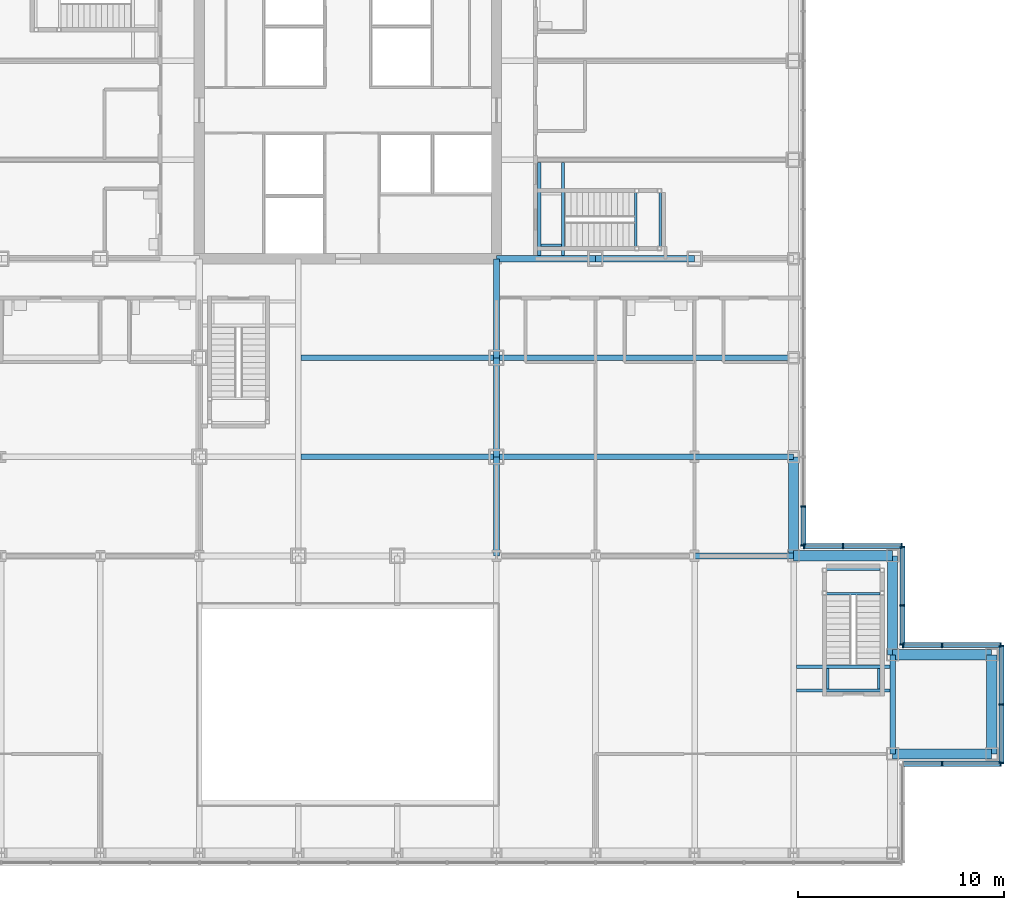
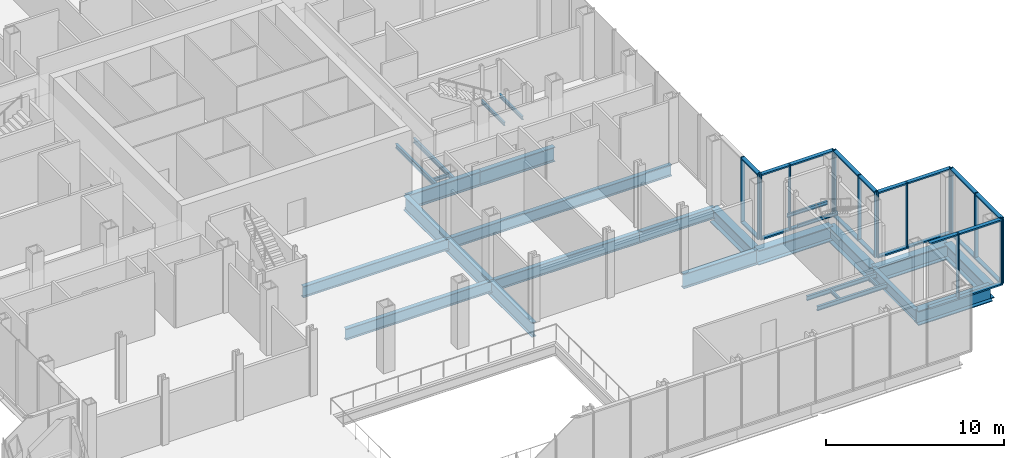
# One storey, part 14 of 26: 38 members, 29 beams, 6 elements without a shape of their own.
"""IFC4 building model written with IfcOpenShell, lengths in metres."""

from ifc_helpers import new_model, si_unit, direction, frame, origin, origin_2d, place, context, subcontext, project, spatial, rectangle, i_section, extrude, material, material_profile, profile_set, type_object, element, aggregate, save


model = new_model("IFC4")

# Units and contexts
model_context = context("Model", 3, precision=1e-05, world=origin(), true_north=direction((0.0, 1.0)))
body_context = subcontext(model_context, "Body", "Model", "MODEL_VIEW")
ifc_project = project(units=[si_unit("LENGTHUNIT", "METRE"), si_unit("AREAUNIT", "SQUARE_METRE"), si_unit("VOLUMEUNIT", "CUBIC_METRE"), si_unit("PLANEANGLEUNIT", "RADIAN"), si_unit("MASSUNIT", "GRAM", prefix="KILO")], contexts=[model_context])

# Site, building, storey
site_placement = place(None, origin())
site = spatial("IfcSite", under=ifc_project, at=site_placement, CompositionType="ELEMENT")
building_placement = place(site_placement, origin())
building = spatial("IfcBuilding", under=site, at=building_placement, Name="Kvirike Care Tower", CompositionType="ELEMENT")
storey_placement = place(building_placement, frame((0.0, 0.0, 18.0)))
storey = spatial("IfcBuildingStorey", under=building, at=storey_placement, Name="L04", CompositionType="ELEMENT", Elevation=18.0)

# Curtain wall, members
ifc_material_1 = material(Name="Anodised aluminium stick system", Category="aluminium")
curtain_wall_type = type_object("IfcCurtainWallType", Name="CW-P PODIUM STICK CURTAIN WALL", PredefinedType="NOTDEFINED", material=ifc_material_1)
curtain_wall_1_placement = place(storey_placement, origin())
curtain_wall_1 = element("IfcCurtainWall", 1, at=curtain_wall_1_placement, inside=storey, type_object=curtain_wall_type, Name="Curtain wall L04 face 3", PredefinedType="NOTDEFINED")
ifc_material_2 = material(Name="Bronze anodised aluminium mullion", Category="aluminium")
ifc_material_profile_1 = material_profile(ifc_material_2, rectangle(XDim=0.06494140625, YDim=0.25, at=origin_2d()), Name="CW-P MULLION 65x250")
ifc_profile_set_1 = profile_set([ifc_material_profile_1], Name="Bronze anodised aluminium mullion")
member_type_1 = type_object("IfcMemberType", Name="CW-P MULLION 65x250", PredefinedType="MULLION", material=ifc_profile_set_1)
member_1_placement = place(storey_placement, frame((50.39990234375, 4.324951171875, 0.0), z_axis=(0.0, 0.0, 1.0), x_axis=(1.0, 0.0, 0.0)))
member_1 = element("IfcMember", 2, at=member_1_placement, type_object=member_type_1, Name="CW-P mullion L04 face 3.2", PredefinedType="MULLION", context=body_context, shape_type="SweptSolid", body=[
    extrude(rectangle(XDim=0.06494140625, YDim=0.25, at=origin_2d()), origin(), (0.0, 0.0, 1.0), 4.5),
])
member_2_placement = place(storey_placement, frame((53.242431640625, 4.324951171875, 0.0), z_axis=(0.0, 0.0, 1.0), x_axis=(1.0, 0.0, 0.0)))
member_2 = element("IfcMember", 3, at=member_2_placement, type_object=member_type_1, Name="CW-P mullion L04 face 3.3", PredefinedType="MULLION", context=body_context, shape_type="SweptSolid", body=[
    extrude(rectangle(XDim=0.06494140625, YDim=0.25, at=origin_2d()), origin(), (0.0, 0.0, 1.0), 4.5),
])

curtain_wall_2_placement = place(storey_placement, origin())
curtain_wall_2 = element("IfcCurtainWall", 4, at=curtain_wall_2_placement, inside=storey, type_object=curtain_wall_type, Name="Curtain wall L04 face 4", PredefinedType="NOTDEFINED")
member_3_placement = place(storey_placement, frame((53.27490234375, 4.357421875, 0.0), z_axis=(0.0, 0.0, 1.0), x_axis=(0.0, 1.0, 0.0)))
member_3 = element("IfcMember", 5, at=member_3_placement, type_object=member_type_1, Name="CW-P mullion L04 face 4.1", PredefinedType="MULLION", context=body_context, shape_type="SweptSolid", body=[
    extrude(rectangle(XDim=0.06494140625, YDim=0.25, at=origin_2d()), origin(), (0.0, 0.0, 1.0), 4.5),
])
member_4_placement = place(storey_placement, frame((53.27490234375, 7.199951171875, 0.0), z_axis=(0.0, 0.0, 1.0), x_axis=(0.0, 1.0, 0.0)))
member_4 = element("IfcMember", 6, at=member_4_placement, type_object=member_type_1, Name="CW-P mullion L04 face 4.2", PredefinedType="MULLION", context=body_context, shape_type="SweptSolid", body=[
    extrude(rectangle(XDim=0.06494140625, YDim=0.25, at=origin_2d()), origin(), (0.0, 0.0, 1.0), 4.5),
])
member_5_placement = place(storey_placement, frame((53.27490234375, 10.04248046875, 0.0), z_axis=(0.0, 0.0, 1.0), x_axis=(0.0, 1.0, 0.0)))
member_5 = element("IfcMember", 7, at=member_5_placement, type_object=member_type_1, Name="CW-P mullion L04 face 4.3", PredefinedType="MULLION", context=body_context, shape_type="SweptSolid", body=[
    extrude(rectangle(XDim=0.06494140625, YDim=0.25, at=origin_2d()), origin(), (0.0, 0.0, 1.0), 4.5),
])

curtain_wall_3_placement = place(storey_placement, origin())
curtain_wall_3 = element("IfcCurtainWall", 8, at=curtain_wall_3_placement, inside=storey, type_object=curtain_wall_type, Name="Curtain wall L04 face 5", PredefinedType="NOTDEFINED")
member_6_placement = place(storey_placement, frame((53.242431640625, 10.074951171875, 0.0), z_axis=(0.0, 0.0, 1.0), x_axis=(-1.0, 0.0, 0.0)))
member_6 = element("IfcMember", 9, at=member_6_placement, type_object=member_type_1, Name="CW-P mullion L04 face 5.1", PredefinedType="MULLION", context=body_context, shape_type="SweptSolid", body=[
    extrude(rectangle(XDim=0.06494140625, YDim=0.25, at=origin_2d()), origin(), (0.0, 0.0, 1.0), 4.5),
])
member_7_placement = place(storey_placement, frame((50.39990234375, 10.074951171875, 0.0), z_axis=(0.0, 0.0, 1.0), x_axis=(-1.0, 0.0, 0.0)))
member_7 = element("IfcMember", 10, at=member_7_placement, type_object=member_type_1, Name="CW-P mullion L04 face 5.2", PredefinedType="MULLION", context=body_context, shape_type="SweptSolid", body=[
    extrude(rectangle(XDim=0.06494140625, YDim=0.25, at=origin_2d()), origin(), (0.0, 0.0, 1.0), 4.5),
])
member_8_placement = place(storey_placement, frame((48.507568359375, 10.074951171875, 0.0), z_axis=(0.0, 0.0, 1.0), x_axis=(-1.0, 0.0, 0.0)))
member_8 = element("IfcMember", 11, at=member_8_placement, type_object=member_type_1, Name="CW-P mullion L04 face 5.3", PredefinedType="MULLION", context=body_context, shape_type="SweptSolid", body=[
    extrude(rectangle(XDim=0.06494140625, YDim=0.25, at=origin_2d()), origin(), (0.0, 0.0, 1.0), 4.5),
])

curtain_wall_4_placement = place(storey_placement, origin())
curtain_wall_4 = element("IfcCurtainWall", 12, at=curtain_wall_4_placement, inside=storey, type_object=curtain_wall_type, Name="Curtain wall L04 face 6", PredefinedType="NOTDEFINED")
member_9_placement = place(storey_placement, frame((48.47509765625, 10.107421875, 0.0), z_axis=(0.0, 0.0, 1.0), x_axis=(0.0, 1.0, 0.0)))
member_9 = element("IfcMember", 13, at=member_9_placement, type_object=member_type_1, Name="CW-P mullion L04 face 6.1", PredefinedType="MULLION", context=body_context, shape_type="SweptSolid", body=[
    extrude(rectangle(XDim=0.06494140625, YDim=0.25, at=origin_2d()), origin(), (0.0, 0.0, 1.0), 4.5),
])
member_10_placement = place(storey_placement, frame((48.47509765625, 12.0, 0.0), z_axis=(0.0, 0.0, 1.0), x_axis=(0.0, 1.0, 0.0)))
member_10 = element("IfcMember", 14, at=member_10_placement, type_object=member_type_1, Name="CW-P mullion L04 face 6.2", PredefinedType="MULLION", context=body_context, shape_type="SweptSolid", body=[
    extrude(rectangle(XDim=0.06494140625, YDim=0.25, at=origin_2d()), origin(), (0.0, 0.0, 1.0), 4.5),
])
member_11_placement = place(storey_placement, frame((48.47509765625, 14.842529296875, 0.0), z_axis=(0.0, 0.0, 1.0), x_axis=(0.0, 1.0, 0.0)))
member_11 = element("IfcMember", 15, at=member_11_placement, type_object=member_type_1, Name="CW-P mullion L04 face 6.3", PredefinedType="MULLION", context=body_context, shape_type="SweptSolid", body=[
    extrude(rectangle(XDim=0.06494140625, YDim=0.25, at=origin_2d()), origin(), (0.0, 0.0, 1.0), 4.5),
])

curtain_wall_5_placement = place(storey_placement, origin())
curtain_wall_5 = element("IfcCurtainWall", 16, at=curtain_wall_5_placement, inside=storey, type_object=curtain_wall_type, Name="Curtain wall L04 face 7", PredefinedType="NOTDEFINED")
member_12_placement = place(storey_placement, frame((48.4423828125, 14.875, 0.0), z_axis=(0.0, 0.0, 1.0), x_axis=(-1.0, 0.0, 0.0)))
member_12 = element("IfcMember", 17, at=member_12_placement, type_object=member_type_1, Name="CW-P mullion L04 face 7.1", PredefinedType="MULLION", context=body_context, shape_type="SweptSolid", body=[
    extrude(rectangle(XDim=0.06494140625, YDim=0.25, at=origin_2d()), origin(), (0.0, 0.0, 1.0), 4.5),
])
member_13_placement = place(storey_placement, frame((45.60009765625, 14.875, 0.0), z_axis=(0.0, 0.0, 1.0), x_axis=(-1.0, 0.0, 0.0)))
member_13 = element("IfcMember", 18, at=member_13_placement, type_object=member_type_1, Name="CW-P mullion L04 face 7.2", PredefinedType="MULLION", context=body_context, shape_type="SweptSolid", body=[
    extrude(rectangle(XDim=0.06494140625, YDim=0.25, at=origin_2d()), origin(), (0.0, 0.0, 1.0), 4.5),
])
member_14_placement = place(storey_placement, frame((43.70751953125, 14.875, 0.0), z_axis=(0.0, 0.0, 1.0), x_axis=(-1.0, 0.0, 0.0)))
member_14 = element("IfcMember", 19, at=member_14_placement, type_object=member_type_1, Name="CW-P mullion L04 face 7.3", PredefinedType="MULLION", context=body_context, shape_type="SweptSolid", body=[
    extrude(rectangle(XDim=0.06494140625, YDim=0.25, at=origin_2d()), origin(), (0.0, 0.0, 1.0), 4.5),
])

curtain_wall_6_placement = place(storey_placement, origin())
curtain_wall_6 = element("IfcCurtainWall", 20, at=curtain_wall_6_placement, inside=storey, type_object=curtain_wall_type, Name="Curtain wall L04 face 8", PredefinedType="NOTDEFINED")
member_15_placement = place(storey_placement, frame((43.675048828125, 14.907470703125, 0.0), z_axis=(0.0, 0.0, 1.0), x_axis=(0.0, 1.0, 0.0)))
member_15 = element("IfcMember", 21, at=member_15_placement, type_object=member_type_1, Name="CW-P mullion L04 face 8.1", PredefinedType="MULLION", context=body_context, shape_type="SweptSolid", body=[
    extrude(rectangle(XDim=0.06494140625, YDim=0.25, at=origin_2d()), origin(), (0.0, 0.0, 1.0), 4.5),
])
member_16_placement = place(storey_placement, frame((43.675048828125, 16.800048828125, 0.0), z_axis=(0.0, 0.0, 1.0), x_axis=(0.0, 1.0, 0.0)))
member_16 = element("IfcMember", 22, at=member_16_placement, type_object=member_type_1, Name="CW-P mullion L04 face 8.2", PredefinedType="MULLION", context=body_context, shape_type="SweptSolid", body=[
    extrude(rectangle(XDim=0.06494140625, YDim=0.25, at=origin_2d()), origin(), (0.0, 0.0, 1.0), 4.5),
])

# Member
ifc_material_3 = material(Name="Bronze anodised aluminium transom", Category="aluminium")
ifc_material_profile_2 = material_profile(ifc_material_3, rectangle(XDim=0.25, YDim=0.10009765625, at=origin_2d()), Name="CW-P TRANSOM 250x100")
ifc_profile_set_2 = profile_set([ifc_material_profile_2], Name="Bronze anodised aluminium transom")
member_type_2 = type_object("IfcMemberType", Name="CW-P TRANSOM 250x100", PredefinedType="USERDEFINED", material=ifc_profile_set_2)
member_17_placement = place(storey_placement, frame((48.5400390625, 4.324951171875, 0.050048828125), z_axis=(1.0, 0.0, 0.0), x_axis=(0.0, 1.0, 0.0)))
member_17 = element("IfcMember", 23, at=member_17_placement, type_object=member_type_2, Name="CW-P sill transom L04 face 3.1", ObjectType="TRANSOM", PredefinedType="USERDEFINED", context=body_context, shape_type="SweptSolid", body=[
    extrude(rectangle(XDim=0.25, YDim=0.10009765625, at=origin_2d()), origin(), (0.0, 0.0, 1.0), 1.827392578125),
])

member_18_placement = place(storey_placement, frame((48.5400390625, 4.324951171875, 4.449951171875), z_axis=(1.0, 0.0, 0.0), x_axis=(0.0, 1.0, 0.0)))
member_18 = element("IfcMember", 24, at=member_18_placement, type_object=member_type_2, Name="CW-P head transom L04 face 3.1", ObjectType="TRANSOM", PredefinedType="USERDEFINED", context=body_context, shape_type="SweptSolid", body=[
    extrude(rectangle(XDim=0.25, YDim=0.10009765625, at=origin_2d()), origin(), (0.0, 0.0, 1.0), 1.827392578125),
])

member_19_placement = place(storey_placement, frame((50.4326171875, 4.324951171875, 0.050048828125), z_axis=(1.0, 0.0, 0.0), x_axis=(0.0, 1.0, 0.0)))
member_19 = element("IfcMember", 25, at=member_19_placement, type_object=member_type_2, Name="CW-P sill transom L04 face 3.2", ObjectType="TRANSOM", PredefinedType="USERDEFINED", context=body_context, shape_type="SweptSolid", body=[
    extrude(rectangle(XDim=0.25, YDim=0.10009765625, at=origin_2d()), origin(), (0.0, 0.0, 1.0), 2.77734375),
])

member_20_placement = place(storey_placement, frame((50.4326171875, 4.324951171875, 4.449951171875), z_axis=(1.0, 0.0, 0.0), x_axis=(0.0, 1.0, 0.0)))
member_20 = element("IfcMember", 26, at=member_20_placement, type_object=member_type_2, Name="CW-P head transom L04 face 3.2", ObjectType="TRANSOM", PredefinedType="USERDEFINED", context=body_context, shape_type="SweptSolid", body=[
    extrude(rectangle(XDim=0.25, YDim=0.10009765625, at=origin_2d()), origin(), (0.0, 0.0, 1.0), 2.77734375),
])

aggregate(curtain_wall_1, [member_1, member_2, member_17, member_18, member_19, member_20])

member_21_placement = place(storey_placement, frame((53.27490234375, 4.389892578125, 0.050048828125), z_axis=(0.0, 1.0, 0.0), x_axis=(-1.0, 0.0, 0.0)))
member_21 = element("IfcMember", 27, at=member_21_placement, type_object=member_type_2, Name="CW-P sill transom L04 face 4.1", ObjectType="TRANSOM", PredefinedType="USERDEFINED", context=body_context, shape_type="SweptSolid", body=[
    extrude(rectangle(XDim=0.25, YDim=0.10009765625, at=origin_2d()), origin(), (0.0, 0.0, 1.0), 2.777587890625),
])

member_22_placement = place(storey_placement, frame((53.27490234375, 4.389892578125, 4.449951171875), z_axis=(0.0, 1.0, 0.0), x_axis=(-1.0, 0.0, 0.0)))
member_22 = element("IfcMember", 28, at=member_22_placement, type_object=member_type_2, Name="CW-P head transom L04 face 4.1", ObjectType="TRANSOM", PredefinedType="USERDEFINED", context=body_context, shape_type="SweptSolid", body=[
    extrude(rectangle(XDim=0.25, YDim=0.10009765625, at=origin_2d()), origin(), (0.0, 0.0, 1.0), 2.777587890625),
])

member_23_placement = place(storey_placement, frame((53.27490234375, 7.232421875, 0.050048828125), z_axis=(0.0, 1.0, 0.0), x_axis=(-1.0, 0.0, 0.0)))
member_23 = element("IfcMember", 29, at=member_23_placement, type_object=member_type_2, Name="CW-P sill transom L04 face 4.2", ObjectType="TRANSOM", PredefinedType="USERDEFINED", context=body_context, shape_type="SweptSolid", body=[
    extrude(rectangle(XDim=0.25, YDim=0.10009765625, at=origin_2d()), origin(), (0.0, 0.0, 1.0), 2.777587890625),
])

member_24_placement = place(storey_placement, frame((53.27490234375, 7.232421875, 4.449951171875), z_axis=(0.0, 1.0, 0.0), x_axis=(-1.0, 0.0, 0.0)))
member_24 = element("IfcMember", 30, at=member_24_placement, type_object=member_type_2, Name="CW-P head transom L04 face 4.2", ObjectType="TRANSOM", PredefinedType="USERDEFINED", context=body_context, shape_type="SweptSolid", body=[
    extrude(rectangle(XDim=0.25, YDim=0.10009765625, at=origin_2d()), origin(), (0.0, 0.0, 1.0), 2.777587890625),
])

aggregate(curtain_wall_2, [member_3, member_4, member_5, member_21, member_22, member_23, member_24])

member_25_placement = place(storey_placement, frame((53.2099609375, 10.074951171875, 0.050048828125), z_axis=(-1.0, 0.0, 0.0), x_axis=(0.0, -1.0, 0.0)))
member_25 = element("IfcMember", 31, at=member_25_placement, type_object=member_type_2, Name="CW-P sill transom L04 face 5.1", ObjectType="TRANSOM", PredefinedType="USERDEFINED", context=body_context, shape_type="SweptSolid", body=[
    extrude(rectangle(XDim=0.25, YDim=0.10009765625, at=origin_2d()), origin(), (0.0, 0.0, 1.0), 2.77734375),
])

member_26_placement = place(storey_placement, frame((53.2099609375, 10.074951171875, 4.449951171875), z_axis=(-1.0, 0.0, 0.0), x_axis=(0.0, -1.0, 0.0)))
member_26 = element("IfcMember", 32, at=member_26_placement, type_object=member_type_2, Name="CW-P head transom L04 face 5.1", ObjectType="TRANSOM", PredefinedType="USERDEFINED", context=body_context, shape_type="SweptSolid", body=[
    extrude(rectangle(XDim=0.25, YDim=0.10009765625, at=origin_2d()), origin(), (0.0, 0.0, 1.0), 2.77734375),
])

member_27_placement = place(storey_placement, frame((50.367431640625, 10.074951171875, 0.050048828125), z_axis=(-1.0, 0.0, 0.0), x_axis=(0.0, -1.0, 0.0)))
member_27 = element("IfcMember", 33, at=member_27_placement, type_object=member_type_2, Name="CW-P sill transom L04 face 5.2", ObjectType="TRANSOM", PredefinedType="USERDEFINED", context=body_context, shape_type="SweptSolid", body=[
    extrude(rectangle(XDim=0.25, YDim=0.10009765625, at=origin_2d()), origin(), (0.0, 0.0, 1.0), 1.827392578125),
])

member_28_placement = place(storey_placement, frame((50.367431640625, 10.074951171875, 4.449951171875), z_axis=(-1.0, 0.0, 0.0), x_axis=(0.0, -1.0, 0.0)))
member_28 = element("IfcMember", 34, at=member_28_placement, type_object=member_type_2, Name="CW-P head transom L04 face 5.2", ObjectType="TRANSOM", PredefinedType="USERDEFINED", context=body_context, shape_type="SweptSolid", body=[
    extrude(rectangle(XDim=0.25, YDim=0.10009765625, at=origin_2d()), origin(), (0.0, 0.0, 1.0), 1.827392578125),
])

aggregate(curtain_wall_3, [member_6, member_7, member_8, member_25, member_26, member_27, member_28])

member_29_placement = place(storey_placement, frame((48.47509765625, 10.139892578125, 0.050048828125), z_axis=(0.0, 1.0, 0.0), x_axis=(-1.0, 0.0, 0.0)))
member_29 = element("IfcMember", 35, at=member_29_placement, type_object=member_type_2, Name="CW-P sill transom L04 face 6.1", ObjectType="TRANSOM", PredefinedType="USERDEFINED", context=body_context, shape_type="SweptSolid", body=[
    extrude(rectangle(XDim=0.25, YDim=0.10009765625, at=origin_2d()), origin(), (0.0, 0.0, 1.0), 1.82763671875),
])

member_30_placement = place(storey_placement, frame((48.47509765625, 10.139892578125, 4.449951171875), z_axis=(0.0, 1.0, 0.0), x_axis=(-1.0, 0.0, 0.0)))
member_30 = element("IfcMember", 36, at=member_30_placement, type_object=member_type_2, Name="CW-P head transom L04 face 6.1", ObjectType="TRANSOM", PredefinedType="USERDEFINED", context=body_context, shape_type="SweptSolid", body=[
    extrude(rectangle(XDim=0.25, YDim=0.10009765625, at=origin_2d()), origin(), (0.0, 0.0, 1.0), 1.82763671875),
])

member_31_placement = place(storey_placement, frame((48.47509765625, 12.032470703125, 0.050048828125), z_axis=(0.0, 1.0, 0.0), x_axis=(-1.0, 0.0, 0.0)))
member_31 = element("IfcMember", 37, at=member_31_placement, type_object=member_type_2, Name="CW-P sill transom L04 face 6.2", ObjectType="TRANSOM", PredefinedType="USERDEFINED", context=body_context, shape_type="SweptSolid", body=[
    extrude(rectangle(XDim=0.25, YDim=0.10009765625, at=origin_2d()), origin(), (0.0, 0.0, 1.0), 2.777587890625),
])

member_32_placement = place(storey_placement, frame((48.47509765625, 12.032470703125, 4.449951171875), z_axis=(0.0, 1.0, 0.0), x_axis=(-1.0, 0.0, 0.0)))
member_32 = element("IfcMember", 38, at=member_32_placement, type_object=member_type_2, Name="CW-P head transom L04 face 6.2", ObjectType="TRANSOM", PredefinedType="USERDEFINED", context=body_context, shape_type="SweptSolid", body=[
    extrude(rectangle(XDim=0.25, YDim=0.10009765625, at=origin_2d()), origin(), (0.0, 0.0, 1.0), 2.777587890625),
])

aggregate(curtain_wall_4, [member_9, member_10, member_11, member_29, member_30, member_31, member_32])

member_33_placement = place(storey_placement, frame((48.409912109375, 14.875, 0.050048828125), z_axis=(-1.0, 0.0, 0.0), x_axis=(0.0, -1.0, 0.0)))
member_33 = element("IfcMember", 39, at=member_33_placement, type_object=member_type_2, Name="CW-P sill transom L04 face 7.1", ObjectType="TRANSOM", PredefinedType="USERDEFINED", context=body_context, shape_type="SweptSolid", body=[
    extrude(rectangle(XDim=0.25, YDim=0.10009765625, at=origin_2d()), origin(), (0.0, 0.0, 1.0), 2.77734375),
])

member_34_placement = place(storey_placement, frame((48.409912109375, 14.875, 4.449951171875), z_axis=(-1.0, 0.0, 0.0), x_axis=(0.0, -1.0, 0.0)))
member_34 = element("IfcMember", 40, at=member_34_placement, type_object=member_type_2, Name="CW-P head transom L04 face 7.1", ObjectType="TRANSOM", PredefinedType="USERDEFINED", context=body_context, shape_type="SweptSolid", body=[
    extrude(rectangle(XDim=0.25, YDim=0.10009765625, at=origin_2d()), origin(), (0.0, 0.0, 1.0), 2.77734375),
])

member_35_placement = place(storey_placement, frame((45.5673828125, 14.875, 0.050048828125), z_axis=(-1.0, 0.0, 0.0), x_axis=(0.0, -1.0, 0.0)))
member_35 = element("IfcMember", 41, at=member_35_placement, type_object=member_type_2, Name="CW-P sill transom L04 face 7.2", ObjectType="TRANSOM", PredefinedType="USERDEFINED", context=body_context, shape_type="SweptSolid", body=[
    extrude(rectangle(XDim=0.25, YDim=0.10009765625, at=origin_2d()), origin(), (0.0, 0.0, 1.0), 1.827392578125),
])

member_36_placement = place(storey_placement, frame((45.5673828125, 14.875, 4.449951171875), z_axis=(-1.0, 0.0, 0.0), x_axis=(0.0, -1.0, 0.0)))
member_36 = element("IfcMember", 42, at=member_36_placement, type_object=member_type_2, Name="CW-P head transom L04 face 7.2", ObjectType="TRANSOM", PredefinedType="USERDEFINED", context=body_context, shape_type="SweptSolid", body=[
    extrude(rectangle(XDim=0.25, YDim=0.10009765625, at=origin_2d()), origin(), (0.0, 0.0, 1.0), 1.827392578125),
])

aggregate(curtain_wall_5, [member_12, member_13, member_14, member_33, member_34, member_35, member_36])

member_37_placement = place(storey_placement, frame((43.675048828125, 14.93994140625, 0.050048828125), z_axis=(0.0, 1.0, 0.0), x_axis=(-1.0, 0.0, 0.0)))
member_37 = element("IfcMember", 43, at=member_37_placement, type_object=member_type_2, Name="CW-P sill transom L04 face 8.1", ObjectType="TRANSOM", PredefinedType="USERDEFINED", context=body_context, shape_type="SweptSolid", body=[
    extrude(rectangle(XDim=0.25, YDim=0.10009765625, at=origin_2d()), origin(), (0.0, 0.0, 1.0), 1.82763671875),
])

member_38_placement = place(storey_placement, frame((43.675048828125, 14.93994140625, 4.449951171875), z_axis=(0.0, 1.0, 0.0), x_axis=(-1.0, 0.0, 0.0)))
member_38 = element("IfcMember", 44, at=member_38_placement, type_object=member_type_2, Name="CW-P head transom L04 face 8.1", ObjectType="TRANSOM", PredefinedType="USERDEFINED", context=body_context, shape_type="SweptSolid", body=[
    extrude(rectangle(XDim=0.25, YDim=0.10009765625, at=origin_2d()), origin(), (0.0, 0.0, 1.0), 1.82763671875),
])

aggregate(curtain_wall_6, [member_15, member_16, member_37, member_38])

# Beams
ifc_material_4 = material(Name="Steel S355", Category="steel")
ifc_material_profile_3 = material_profile(ifc_material_4, i_section(OverallWidth=0.26806640625, OverallDepth=0.77001953125, WebThickness=0.015625, FlangeThickness=0.025390625, FilletRadius=0.01708984375, at=origin_2d()), Name="IPE 750x196")
ifc_profile_set_3 = profile_set([ifc_material_profile_3], Name="Steel S355")
beam_type_1 = type_object("IfcBeamType", Name="FLOOR BEAM IPE 750x196", PredefinedType="BEAM", material=ifc_profile_set_3)
beam_1_placement = place(storey_placement, frame((19.333984375, 19.199951171875, -0.554931640625), z_axis=(1.0, 0.0, 0.0), x_axis=(0.0, 1.0, 0.0)))
element("IfcBeam", 45, at=beam_1_placement, inside=storey, type_object=beam_type_1, Name="Floor Beam E7-E9 L04", PredefinedType="BEAM", context=body_context, shape_type="SweptSolid", body=[
    extrude(i_section(OverallWidth=0.26806640625, OverallDepth=0.77001953125, WebThickness=0.015625, FlangeThickness=0.025390625, FilletRadius=0.01708984375, at=origin_2d()), origin(), (0.0, 0.0, 1.0), 9.466064453125),
])
beam_2_placement = place(storey_placement, frame((28.800048828125, 19.199951171875, -0.554931640625), z_axis=(1.0, 0.0, 0.0), x_axis=(0.0, 1.0, 0.0)))
element("IfcBeam", 46, at=beam_2_placement, inside=storey, type_object=beam_type_1, Name="Floor Beam E9-E11 L04", PredefinedType="BEAM", context=body_context, shape_type="SweptSolid", body=[
    extrude(i_section(OverallWidth=0.26806640625, OverallDepth=0.77001953125, WebThickness=0.015625, FlangeThickness=0.025390625, FilletRadius=0.01708984375, at=origin_2d()), origin(), (0.0, 0.0, 1.0), 9.599853515625),
])
beam_3_placement = place(storey_placement, frame((38.39990234375, 19.199951171875, -0.554931640625), z_axis=(1.0, 0.0, 0.0), x_axis=(0.0, 1.0, 0.0)))
element("IfcBeam", 47, at=beam_3_placement, inside=storey, type_object=beam_type_1, Name="Floor Beam E11-E12 L04", PredefinedType="BEAM", context=body_context, shape_type="SweptSolid", body=[
    extrude(i_section(OverallWidth=0.26806640625, OverallDepth=0.77001953125, WebThickness=0.015625, FlangeThickness=0.025390625, FilletRadius=0.01708984375, at=origin_2d()), origin(), (0.0, 0.0, 1.0), 4.800048828125),
])
beam_4_placement = place(storey_placement, frame((19.333984375, 24.0, -0.554931640625), z_axis=(1.0, 0.0, 0.0), x_axis=(0.0, 1.0, 0.0)))
element("IfcBeam", 48, at=beam_4_placement, inside=storey, type_object=beam_type_1, Name="Floor Beam F7-F9 L04", PredefinedType="BEAM", context=body_context, shape_type="SweptSolid", body=[
    extrude(i_section(OverallWidth=0.26806640625, OverallDepth=0.77001953125, WebThickness=0.015625, FlangeThickness=0.025390625, FilletRadius=0.01708984375, at=origin_2d()), origin(), (0.0, 0.0, 1.0), 9.466064453125),
])
beam_5_placement = place(storey_placement, frame((28.800048828125, 24.0, -0.554931640625), z_axis=(1.0, 0.0, 0.0), x_axis=(0.0, 1.0, 0.0)))
element("IfcBeam", 49, at=beam_5_placement, inside=storey, type_object=beam_type_1, Name="Floor Beam F9-F12 L04", PredefinedType="BEAM", context=body_context, shape_type="SweptSolid", body=[
    extrude(i_section(OverallWidth=0.26806640625, OverallDepth=0.77001953125, WebThickness=0.015625, FlangeThickness=0.025390625, FilletRadius=0.01708984375, at=origin_2d()), origin(), (0.0, 0.0, 1.0), 14.39990234375),
])
beam_6_placement = place(storey_placement, frame((48.0, 4.800048828125, -0.554931640625), z_axis=(0.0, 1.0, 0.0), x_axis=(-1.0, 0.0, 0.0)))
element("IfcBeam", 50, at=beam_6_placement, inside=storey, type_object=beam_type_1, Name="Floor Beam B13-C13 L04", PredefinedType="BEAM", context=body_context, shape_type="SweptSolid", body=[
    extrude(i_section(OverallWidth=0.26806640625, OverallDepth=0.77001953125, WebThickness=0.015625, FlangeThickness=0.025390625, FilletRadius=0.01708984375, at=origin_2d()), origin(), (0.0, 0.0, 1.0), 4.800048828125),
])
ifc_material_5 = material(Name="Steel S355", Category="steel")
ifc_material_profile_4 = material_profile(ifc_material_5, i_section(OverallWidth=0.300048828125, OverallDepth=1.0, WebThickness=0.01904296875, FlangeThickness=0.035888671875, FilletRadius=0.030029296875, at=origin_2d()), Name="HE 1000 B")
ifc_profile_set_4 = profile_set([ifc_material_profile_4], Name="Steel S355")
beam_type_2 = type_object("IfcBeamType", Name="FRAME BEAM HE 1000 B", PredefinedType="BEAM", material=ifc_profile_set_4)
for number, where, z_axis, x_axis, name in (
    (51, (38.39990234375, 14.39990234375, -0.669921875), (1.0, 0.0, 0.0), (0.0, 1.0, 0.0), "Frame Beam D11-D12 L04"),
    (52, (28.800048828125, 28.800048828125, -0.669921875), (1.0, 0.0, 0.0), (0.0, 1.0, 0.0), "Frame Beam G9-G10 L04"),
):
    element("IfcBeam", number, at=place(storey_placement, frame(where, z_axis=z_axis, x_axis=x_axis)), inside=storey, type_object=beam_type_2, Name=name, PredefinedType="BEAM", context=body_context, shape_type="SweptSolid", body=[
        extrude(i_section(OverallWidth=0.300048828125, OverallDepth=1.0, WebThickness=0.01904296875, FlangeThickness=0.035888671875, FilletRadius=0.030029296875, at=origin_2d()), origin(), (0.0, 0.0, 1.0), 4.800048828125),
    ])
beam_7_placement = place(storey_placement, frame((33.60009765625, 28.800048828125, -0.669921875), z_axis=(1.0, 0.0, 0.0), x_axis=(0.0, 1.0, 0.0)))
element("IfcBeam", 53, at=beam_7_placement, inside=storey, type_object=beam_type_2, Name="Frame Beam G10-G11 L04", PredefinedType="BEAM", context=body_context, shape_type="SweptSolid", body=[
    extrude(i_section(OverallWidth=0.300048828125, OverallDepth=1.0, WebThickness=0.01904296875, FlangeThickness=0.035888671875, FilletRadius=0.030029296875, at=origin_2d()), origin(), (0.0, 0.0, 1.0), 4.7998046875),
])
for number, where, z_axis, x_axis, name in (
    (54, (28.800048828125, 14.39990234375, -0.669921875), (0.0, 1.0, 0.0), (-1.0, 0.0, 0.0), "Frame Beam D9-E9 L04"),
    (55, (28.800048828125, 19.199951171875, -0.669921875), (0.0, 1.0, 0.0), (-1.0, 0.0, 0.0), "Frame Beam E9-F9 L04"),
    (56, (28.800048828125, 24.0, -0.669921875), (0.0, 1.0, 0.0), (-1.0, 0.0, 0.0), "Frame Beam F9-G9 L04"),
):
    element("IfcBeam", number, at=place(storey_placement, frame(where, z_axis=z_axis, x_axis=x_axis)), inside=storey, type_object=beam_type_2, Name=name, PredefinedType="BEAM", context=body_context, shape_type="SweptSolid", body=[
        extrude(i_section(OverallWidth=0.300048828125, OverallDepth=1.0, WebThickness=0.01904296875, FlangeThickness=0.035888671875, FilletRadius=0.030029296875, at=origin_2d()), origin(), (0.0, 0.0, 1.0), 4.800048828125),
    ])
ifc_material_6 = material(Name="Steel S355", Category="steel")
ifc_material_profile_5 = material_profile(ifc_material_6, i_section(OverallWidth=0.5, OverallDepth=1.0, WebThickness=0.030029296875, FlangeThickness=0.06005859375, at=origin_2d()), Name="PG 1000x500x30x60")
ifc_profile_set_5 = profile_set([ifc_material_profile_5], Name="Steel S355")
beam_type_3 = type_object("IfcBeamType", Name="SPANDREL PG 1000x500x30x60", PredefinedType="SPANDREL", material=ifc_profile_set_5)
for number, where, z_axis, x_axis, name in (
    (57, (48.0, 4.800048828125, -0.669921875), (1.0, 0.0, 0.0), (0.0, 1.0, 0.0), "Spandrel B13-B14 L04"),
    (58, (48.0, 9.60009765625, -0.669921875), (1.0, 0.0, 0.0), (0.0, 1.0, 0.0), "Spandrel C13-C14 L04"),
    (59, (43.199951171875, 14.39990234375, -0.669921875), (1.0, 0.0, 0.0), (0.0, 1.0, 0.0), "Spandrel D12-D13 L04"),
    (60, (43.199951171875, 14.39990234375, -0.669921875), (0.0, 1.0, 0.0), (-1.0, 0.0, 0.0), "Spandrel D12-E12 L04"),
):
    element("IfcBeam", number, at=place(storey_placement, frame(where, z_axis=z_axis, x_axis=x_axis)), inside=storey, type_object=beam_type_3, Name=name, PredefinedType="SPANDREL", context=body_context, shape_type="SweptSolid", body=[
        extrude(i_section(OverallWidth=0.5, OverallDepth=1.0, WebThickness=0.030029296875, FlangeThickness=0.06005859375, at=origin_2d()), origin(), (0.0, 0.0, 1.0), 4.800048828125),
    ])
beam_8_placement = place(storey_placement, frame((48.0, 9.60009765625, -0.669921875), z_axis=(0.0, 1.0, 0.0), x_axis=(-1.0, 0.0, 0.0)))
element("IfcBeam", 61, at=beam_8_placement, inside=storey, type_object=beam_type_3, Name="Spandrel C13-D13 L04", PredefinedType="SPANDREL", context=body_context, shape_type="SweptSolid", body=[
    extrude(i_section(OverallWidth=0.5, OverallDepth=1.0, WebThickness=0.030029296875, FlangeThickness=0.06005859375, at=origin_2d()), origin(), (0.0, 0.0, 1.0), 4.7998046875),
])
beam_9_placement = place(storey_placement, frame((52.800048828125, 4.800048828125, -0.669921875), z_axis=(0.0, 1.0, 0.0), x_axis=(-1.0, 0.0, 0.0)))
element("IfcBeam", 62, at=beam_9_placement, inside=storey, type_object=beam_type_3, Name="Spandrel B14-C14 L04", PredefinedType="SPANDREL", context=body_context, shape_type="SweptSolid", body=[
    extrude(i_section(OverallWidth=0.5, OverallDepth=1.0, WebThickness=0.030029296875, FlangeThickness=0.06005859375, at=origin_2d()), origin(), (0.0, 0.0, 1.0), 4.800048828125),
])
ifc_material_7 = material(Name="Steel S355", Category="steel")
ifc_material_profile_6 = material_profile(ifc_material_7, i_section(OverallWidth=0.1201171875, OverallDepth=0.239990234375, WebThickness=0.006103515625, FlangeThickness=0.009765625, FilletRadius=0.014892578125, at=origin_2d()), Name="IPE 240")
ifc_profile_set_6 = profile_set([ifc_material_profile_6], Name="Steel S355")
beam_type_4 = type_object("IfcBeamType", Name="STAIR LANDING BEAM IPE 240", PredefinedType="BEAM", material=ifc_profile_set_6)
for number, where, z_axis, x_axis, name in (
    (63, (36.739990234375, 29.39990234375, 1.929931640625), (0.0, 1.0, 0.0), (-1.0, 0.0, 0.0), "Stair 2 landing beam back L04"),
    (64, (35.56005859375, 29.39990234375, 1.929931640625), (0.0, 1.0, 0.0), (-1.0, 0.0, 0.0), "Stair 2 landing beam front L04"),
):
    element("IfcBeam", number, at=place(storey_placement, frame(where, z_axis=z_axis, x_axis=x_axis)), inside=storey, type_object=beam_type_4, Name=name, PredefinedType="BEAM", context=body_context, shape_type="SweptSolid", body=[
        extrude(i_section(OverallWidth=0.1201171875, OverallDepth=0.239990234375, WebThickness=0.006103515625, FlangeThickness=0.009765625, FilletRadius=0.014892578125, at=origin_2d()), origin(), (0.0, 0.0, 1.0), 2.60009765625),
    ])
beam_10_placement = place(storey_placement, frame((31.949951171875, 29.4599609375, -0.320068359375), z_axis=(-1.0, 0.0, 0.0), x_axis=(0.0, -1.0, 0.0)))
element("IfcBeam", 65, at=beam_10_placement, inside=storey, type_object=beam_type_4, Name="Stair 2 landing edge beam 1 L04", PredefinedType="BEAM", context=body_context, shape_type="SweptSolid", body=[
    extrude(i_section(OverallWidth=0.1201171875, OverallDepth=0.239990234375, WebThickness=0.006103515625, FlangeThickness=0.009765625, FilletRadius=0.014892578125, at=origin_2d()), origin(), (0.0, 0.0, 1.0), 1.0),
])
for number, where, z_axis, x_axis, name in (
    (66, (44.800048828125, 13.739990234375, 1.929931640625), (1.0, 0.0, 0.0), (0.0, 1.0, 0.0), "Stair 4 landing beam back L04"),
    (67, (44.800048828125, 12.56005859375, 1.929931640625), (1.0, 0.0, 0.0), (0.0, 1.0, 0.0), "Stair 4 landing beam front L04"),
):
    element("IfcBeam", number, at=place(storey_placement, frame(where, z_axis=z_axis, x_axis=x_axis)), inside=storey, type_object=beam_type_4, Name=name, PredefinedType="BEAM", context=body_context, shape_type="SweptSolid", body=[
        extrude(i_section(OverallWidth=0.1201171875, OverallDepth=0.239990234375, WebThickness=0.006103515625, FlangeThickness=0.009765625, FilletRadius=0.014892578125, at=origin_2d()), origin(), (0.0, 0.0, 1.0), 2.599853515625),
    ])
for number, where, z_axis, x_axis, name in (
    (68, (44.860107421875, 8.949951171875, -0.320068359375), (0.0, -1.0, 0.0), (1.0, 0.0, 0.0), "Stair 4 landing edge beam 1 L04"),
    (69, (47.340087890625, 8.949951171875, -0.320068359375), (0.0, -1.0, 0.0), (1.0, 0.0, 0.0), "Stair 4 landing edge beam 2 L04"),
):
    element("IfcBeam", number, at=place(storey_placement, frame(where, z_axis=z_axis, x_axis=x_axis)), inside=storey, type_object=beam_type_4, Name=name, PredefinedType="BEAM", context=body_context, shape_type="SweptSolid", body=[
        extrude(i_section(OverallWidth=0.1201171875, OverallDepth=0.239990234375, WebThickness=0.006103515625, FlangeThickness=0.009765625, FilletRadius=0.014892578125, at=origin_2d()), origin(), (0.0, 0.0, 1.0), 1.0),
    ])
ifc_material_8 = material(Name="Steel S355", Category="steel")
ifc_material_profile_7 = material_profile(ifc_material_8, i_section(OverallWidth=0.14990234375, OverallDepth=0.300048828125, WebThickness=0.007080078125, FlangeThickness=0.0107421875, FilletRadius=0.014892578125, at=origin_2d()), Name="IPE 300")
ifc_profile_set_7 = profile_set([ifc_material_profile_7], Name="Steel S355")
beam_type_5 = type_object("IfcBeamType", Name="STAIR TRIMMER IPE 300", PredefinedType="BEAM", material=ifc_profile_set_7)
for number, where, z_axis, x_axis, name in (
    (70, (32.02490234375, 28.949951171875, -0.35009765625), (0.0, 1.0, 0.0), (-1.0, 0.0, 0.0), "Stair 2 trimmer 1 L04"),
    (71, (30.875, 28.949951171875, -0.35009765625), (0.0, 1.0, 0.0), (-1.0, 0.0, 0.0), "Stair 2 trimmer 2 L04"),
):
    element("IfcBeam", number, at=place(storey_placement, frame(where, z_axis=z_axis, x_axis=x_axis)), inside=storey, type_object=beam_type_5, Name=name, PredefinedType="BEAM", context=body_context, shape_type="SweptSolid", body=[
        extrude(i_section(OverallWidth=0.14990234375, OverallDepth=0.300048828125, WebThickness=0.007080078125, FlangeThickness=0.0107421875, FilletRadius=0.014892578125, at=origin_2d()), origin(), (0.0, 0.0, 1.0), 4.51611328125),
    ])
for number, where, z_axis, x_axis, name in (
    (72, (43.333984375, 9.02490234375, -0.35009765625), (1.0, 0.0, 0.0), (0.0, 1.0, 0.0), "Stair 4 trimmer 1 L04"),
    (73, (43.333984375, 7.875, -0.35009765625), (1.0, 0.0, 0.0), (0.0, 1.0, 0.0), "Stair 4 trimmer 2 L04"),
):
    element("IfcBeam", number, at=place(storey_placement, frame(where, z_axis=z_axis, x_axis=x_axis)), inside=storey, type_object=beam_type_5, Name=name, PredefinedType="BEAM", context=body_context, shape_type="SweptSolid", body=[
        extrude(i_section(OverallWidth=0.14990234375, OverallDepth=0.300048828125, WebThickness=0.007080078125, FlangeThickness=0.0107421875, FilletRadius=0.014892578125, at=origin_2d()), origin(), (0.0, 0.0, 1.0), 4.531982421875),
    ])

save(model, "model.ifc")
